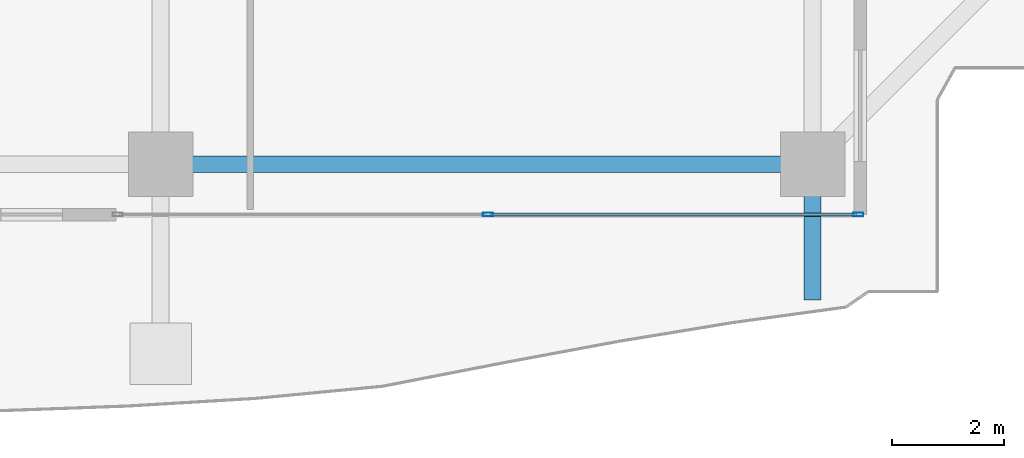
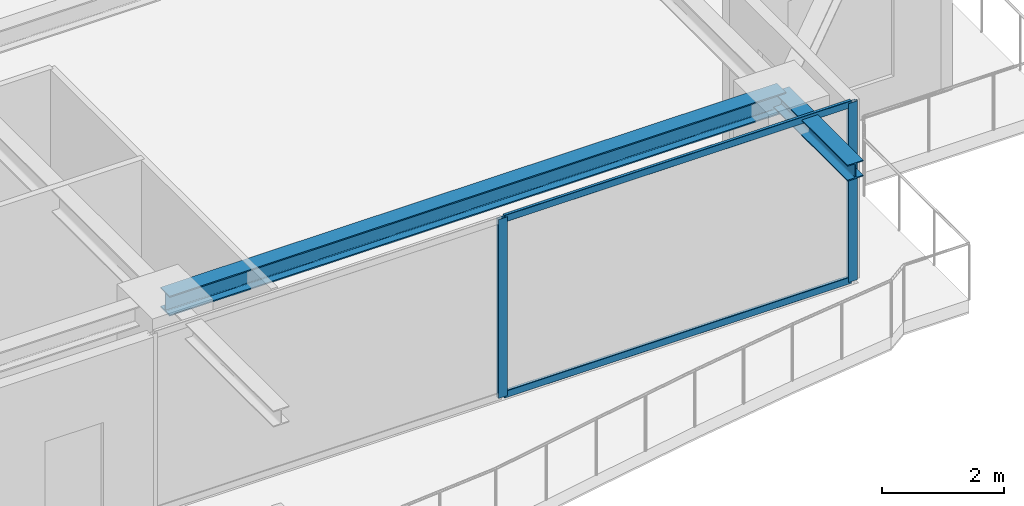
# One storey, part 12 of 36: 4 members, 2 beams, 1 element without a shape of its own.
"""IFC4 building model written with IfcOpenShell, lengths in metres."""

import ifcopenshell
import ifcopenshell.guid

model = None  # the IFC model being written
_history = None  # IfcOwnerHistory: only IFC2X3 demands one
_inside = {}  # id of a spatial element -> (the spatial element, [elements in it])
_under = {}  # id of a project, library or spatial element -> (it, [spatial elements below it])
_declared = {}  # id of a project -> (the project, [libraries it declares])
_typed = {}  # id of a type object -> (the type object, [elements of that type])
_made_of = {}  # id of a material, layer set ... -> (it, [elements and type objects made of it])


def new_model(schema):
    """Start an empty IFC model of exactly this schema.

    Asked for "IFC4X3", IfcOpenShell would pick the latest addendum, in which some entities
    have other attributes; the version numbers below select the first issue.
    IFC2X3 requires an IfcOwnerHistory on every rooted entity: one is made here for all.
    """
    global model, _history
    if schema == "IFC4X3":
        model = ifcopenshell.file(schema_version=(4, 3, 0, 0))
    else:
        model = ifcopenshell.file(schema=schema)
    _inside.clear()
    _under.clear()
    _declared.clear()
    _typed.clear()
    _made_of.clear()
    _history = None
    if model.schema == "IFC2X3":
        org = make("IfcOrganization", Name="unknown")
        user = make(
            "IfcPersonAndOrganization",
            ThePerson=make("IfcPerson", FamilyName="unknown"),
            TheOrganization=org,
        )
        app = make(
            "IfcApplication",
            ApplicationDeveloper=org,
            Version="unknown",
            ApplicationFullName="unknown",
            ApplicationIdentifier="unknown",
        )
        _history = make(
            "IfcOwnerHistory",
            OwningUser=user,
            OwningApplication=app,
            ChangeAction="ADDED",
            CreationDate=0,
        )
    return model


def make(cls, **values):
    """One entity of the class cls with the attributes given. An attribute that is None is left unset."""
    return model.create_entity(
        cls, **{name: value for name, value in values.items() if value is not None}
    )


def rooted(cls, **values):
    """An entity with a GlobalId (a new one), such as an element, a storey or a relation."""
    return make(cls, GlobalId=ifcopenshell.guid.new(), OwnerHistory=_history, **values)


def si_unit(unit_type, name, prefix=None):
    """IfcSIUnit, for example si_unit("LENGTHUNIT", "METRE", prefix="MILLI")."""
    return make("IfcSIUnit", UnitType=unit_type, Prefix=prefix, Name=name)


def assignment(units):
    """IfcUnitAssignment: the units of a project."""
    return None if units is None else make("IfcUnitAssignment", Units=units)


def point(xyz):
    """IfcCartesianPoint."""
    return None if xyz is None else make("IfcCartesianPoint", Coordinates=xyz)


def direction(xyz):
    """IfcDirection."""
    return None if xyz is None else make("IfcDirection", DirectionRatios=xyz)


def frame(location, z_axis=None, x_axis=None):
    """IfcAxis2Placement3D, a coordinate frame: its origin and axes. An axis left out is left unset."""
    return make(
        "IfcAxis2Placement3D",
        Location=point(location),
        Axis=direction(z_axis),
        RefDirection=direction(x_axis),
    )


def frame_2d(location, x_axis=None):
    """IfcAxis2Placement2D, a coordinate frame in the plane: its origin and x axis."""
    return make(
        "IfcAxis2Placement2D", Location=point(location), RefDirection=direction(x_axis)
    )


def origin():
    """The frame at (0, 0, 0) with its axes left unset."""
    return frame((0.0, 0.0, 0.0))


def origin_2d():
    """The frame at (0, 0) in the plane with its x axis left unset."""
    return frame_2d((0.0, 0.0))


def place(relative_to, where):
    """IfcLocalPlacement: puts the frame where relative to a parent placement (None: the world)."""
    return make(
        "IfcLocalPlacement", PlacementRelTo=relative_to, RelativePlacement=where
    )


def context(
    kind, dimensions, precision=None, world=None, true_north=None, identifier=None
):
    """IfcGeometricRepresentationContext, for example the 3D "Model" context."""
    return make(
        "IfcGeometricRepresentationContext",
        ContextIdentifier=identifier,
        ContextType=kind,
        CoordinateSpaceDimension=dimensions,
        Precision=precision,
        WorldCoordinateSystem=world,
        TrueNorth=true_north,
    )


def subcontext(parent, identifier, kind, view, scale=None):
    """IfcGeometricRepresentationSubContext, for example "Body" below "Model"."""
    return make(
        "IfcGeometricRepresentationSubContext",
        ContextIdentifier=identifier,
        ContextType=kind,
        ParentContext=parent,
        TargetScale=scale,
        TargetView=view,
    )


def project(units=None, contexts=None):
    """IfcProject with its units and contexts."""
    return rooted(
        "IfcProject",
        Name="project",
        RepresentationContexts=contexts,
        UnitsInContext=assignment(units),
    )


def spatial(cls, under=None, at=None, **own):
    """A site, building, storey or space (cls), placed at a placement, below another one or the project."""
    s = rooted(cls, ObjectPlacement=at, **own)
    if under is not None:
        _under.setdefault(under.id(), (under, []))[1].append(s)
    return s


def profile(cls, at=None, kind="AREA", **sizes):
    """A parametric profile (cls). Its sizes go by their IFC names, for example OverallWidth=200.0."""
    return make(cls, ProfileType=kind, Position=at, **sizes)


def hollow_rectangle(**sizes):
    """IfcRectangleHollowProfileDef."""
    return profile("IfcRectangleHollowProfileDef", **sizes)


def i_section(**sizes):
    """IfcIShapeProfileDef."""
    return profile("IfcIShapeProfileDef", **sizes)


def extrude(swept, where, along, depth):
    """IfcExtrudedAreaSolid: the profile swept, set in the frame where, extruded along a direction by depth."""
    return make(
        "IfcExtrudedAreaSolid",
        SweptArea=swept,
        Position=where,
        ExtrudedDirection=direction(along),
        Depth=depth,
    )


def shape(context_of_items, identifier, shape_type, items):
    """IfcShapeRepresentation: the items that make up one representation, for example the "Body"."""
    return make(
        "IfcShapeRepresentation",
        ContextOfItems=context_of_items,
        RepresentationIdentifier=identifier,
        RepresentationType=shape_type,
        Items=items,
    )


def source(mapping_origin, context_of_items, identifier, shape_type, items):
    """IfcRepresentationMap: a shape defined once, which mapped items show again and again."""
    return make(
        "IfcRepresentationMap",
        MappingOrigin=mapping_origin,
        MappedRepresentation=shape(context_of_items, identifier, shape_type, items),
    )


def transform(
    local_origin,
    x_axis=None,
    y_axis=None,
    z_axis=None,
    scale=None,
    scale2=None,
    scale3=None,
    uniform=True,
):
    """IfcCartesianTransformationOperator3D, or its non-uniform kind. x_axis, y_axis, z_axis: its Axis1, 2, 3."""
    if uniform:
        return make(
            "IfcCartesianTransformationOperator3D",
            Axis1=direction(x_axis),
            Axis2=direction(y_axis),
            LocalOrigin=point(local_origin),
            Scale=scale,
            Axis3=direction(z_axis),
        )
    return make(
        "IfcCartesianTransformationOperator3DnonUniform",
        Axis1=direction(x_axis),
        Axis2=direction(y_axis),
        LocalOrigin=point(local_origin),
        Scale=scale,
        Axis3=direction(z_axis),
        Scale2=scale2,
        Scale3=scale3,
    )


def mapped(mapping_source, mapping_target):
    """IfcMappedItem: shows the shape of a source again, moved by a transform."""
    return make(
        "IfcMappedItem", MappingSource=mapping_source, MappingTarget=mapping_target
    )


def material(Name=None, Category=None):
    """IfcMaterial."""
    return make("IfcMaterial", Name=Name, Category=Category)


def layer(
    of_material, thickness, ventilated=None, Name=None, Category=None, Priority=None
):
    """IfcMaterialLayer: one layer of a wall or slab, of a material (None: an air gap)."""
    return make(
        "IfcMaterialLayer",
        Material=of_material,
        LayerThickness=thickness,
        IsVentilated=ventilated,
        Name=Name,
        Category=Category,
        Priority=Priority,
    )


def layer_set(layers, Name=None):
    """IfcMaterialLayerSet."""
    return make("IfcMaterialLayerSet", MaterialLayers=layers, LayerSetName=Name)


def material_profile(
    of_material, cross_section, Name=None, Category=None, Priority=None
):
    """IfcMaterialProfile: a cross section and its material."""
    return make(
        "IfcMaterialProfile",
        Name=Name,
        Material=of_material,
        Profile=cross_section,
        Priority=Priority,
        Category=Category,
    )


def profile_set(profiles, Name=None, composite=None):
    """IfcMaterialProfileSet."""
    return make(
        "IfcMaterialProfileSet",
        Name=Name,
        MaterialProfiles=profiles,
        CompositeProfile=composite,
    )


def made_of(thing, what):
    """Note that an element or type object is made of a material, layer set ...; save() writes the relation."""
    if what is not None:
        _made_of.setdefault(what.id(), (what, []))[1].append(thing)
    return thing


def type_object(cls, material=None, **own):
    """A type object (cls), such as IfcWallType, which elements share."""
    return made_of(rooted(cls, **own), material)


def element(
    cls,
    number,
    at=None,
    inside=None,
    cuts=None,
    type_object=None,
    material=None,
    context=None,
    identifier="Body",
    shape_type=None,
    held_by="IfcProductDefinitionShape",
    body=None,
    shapes=None,
    **own,
):
    """One element of the class cls, such as IfcWall. Its Tag is "e" and its number.

    at: its placement. inside: the storey or other place that contains it. cuts: it is an
    opening in that element (IfcRelVoidsElement). A single representation is given by context,
    identifier, shape_type and body (its items); several are given by shapes. held_by: the class
    of the entity that holds the representations. save() writes the other relations.
    """
    e = rooted(cls, Tag="e%d" % number, ObjectPlacement=at, **own)
    if body is not None:
        shapes = [shape(context, identifier, shape_type, body)]
    if shapes is not None:
        e.Representation = make(held_by, Representations=shapes)
    if inside is not None:
        _inside.setdefault(inside.id(), (inside, []))[1].append(e)
    if cuts is not None:
        rooted(
            "IfcRelVoidsElement", RelatingBuildingElement=cuts, RelatedOpeningElement=e
        )
    if type_object is not None:
        _typed.setdefault(type_object.id(), (type_object, []))[1].append(e)
    return made_of(e, material)


def aggregate(whole, parts):
    """IfcRelAggregates: a whole, such as a stair, and the parts it consists of."""
    return rooted("IfcRelAggregates", RelatingObject=whole, RelatedObjects=parts)


def save(model, path):
    """Write the relations noted so far, then the file.

    IfcRelAggregates (storeys below a building ...), IfcRelContainedInSpatialStructure (elements
    in a storey), IfcRelDefinesByType, IfcRelAssociatesMaterial and IfcRelDeclares: one each for
    every whole, place, type object, material and project.
    """
    for whole, parts in _under.values():
        aggregate(whole, parts)
    for where, things in _inside.values():
        rooted(
            "IfcRelContainedInSpatialStructure",
            RelatedElements=things,
            RelatingStructure=where,
        )
    for kind, things in _typed.values():
        rooted("IfcRelDefinesByType", RelatedObjects=things, RelatingType=kind)
    for what, things in _made_of.values():
        rooted("IfcRelAssociatesMaterial", RelatedObjects=things, RelatingMaterial=what)
    for by, libraries in _declared.values():
        rooted("IfcRelDeclares", RelatingContext=by, RelatedDefinitions=libraries)
    model.write(path)


model = new_model("IFC4")

# Units and contexts
model_context = context("Model", 3, precision=1e-05, world=origin(), true_north=direction((0.0, 1.0)))
body_context = subcontext(model_context, "Body", "Model", "MODEL_VIEW")
ifc_project = project(units=[si_unit("LENGTHUNIT", "METRE"), si_unit("AREAUNIT", "SQUARE_METRE"), si_unit("VOLUMEUNIT", "CUBIC_METRE"), si_unit("PLANEANGLEUNIT", "RADIAN"), si_unit("MASSUNIT", "GRAM", prefix="KILO")], contexts=[model_context])

# Site, building, storey
site_placement = place(None, origin())
site = spatial("IfcSite", under=ifc_project, at=site_placement, CompositionType="ELEMENT")
building_placement = place(site_placement, origin())
building = spatial("IfcBuilding", under=site, at=building_placement, Name="Serunith Strait Residences", CompositionType="ELEMENT")
storey_placement = place(building_placement, frame((0.0, 0.0, 225.85009765625)))
storey = spatial("IfcBuildingStorey", under=building, at=storey_placement, Name="L56", CompositionType="ELEMENT", Elevation=225.85009765625)

# Beams
ifc_material_1 = material(Name="Steel S355J2", Category="steel")
ifc_material_profile_1 = material_profile(ifc_material_1, i_section(OverallWidth=0.300048828125, OverallDepth=0.39990234375, WebThickness=0.013427734375, FlangeThickness=0.02392578125, FilletRadius=0.027099609375, at=origin_2d()), Name="HEB 400")
ifc_profile_set_1 = profile_set([ifc_material_profile_1], Name="Steel S355J2")
beam_type_1 = type_object("IfcBeamType", Name="BM-HEB400", PredefinedType="BEAM", material=ifc_profile_set_1)
shared_shape_1 = source(origin(), body_context, "Body", "SweptSolid", [
    extrude(i_section(OverallWidth=0.300048828125, OverallDepth=0.39990234375, WebThickness=0.013427734375, FlangeThickness=0.02392578125, FilletRadius=0.027099609375, at=origin_2d()), origin(), (0.0, 0.0, 1.0), 11.650146484375),
])
beam_1_placement = place(storey_placement, frame((36.89990234375, 2.10009765625, 3.386962890625), z_axis=(1.0, 0.0, 0.0), x_axis=(0.0, 1.0, 0.0)))
element("IfcBeam", 1, at=beam_1_placement, inside=storey, type_object=beam_type_1, Name="L56 Perimeter Ring Beam 03", PredefinedType="BEAM", context=body_context, shape_type="MappedRepresentation", body=[
    mapped(shared_shape_1, transform((0.0, 0.0, 0.0), scale=1.0)),
])
ifc_material_profile_2 = material_profile(ifc_material_1, i_section(OverallWidth=0.300048828125, OverallDepth=0.320068359375, WebThickness=0.011474609375, FlangeThickness=0.0205078125, FilletRadius=0.027099609375, at=origin_2d()), Name="HEB 320")
ifc_profile_set_2 = profile_set([ifc_material_profile_2], Name="Steel S355J2")
beam_type_2 = type_object("IfcBeamType", Name="BM-HEB320", PredefinedType="BEAM", material=ifc_profile_set_2)
shared_shape_2 = source(origin(), body_context, "Body", "SweptSolid", [
    extrude(i_section(OverallWidth=0.300048828125, OverallDepth=0.320068359375, WebThickness=0.011474609375, FlangeThickness=0.0205078125, FilletRadius=0.027099609375, at=origin_2d()), origin(), (0.0, 0.0, 1.0), 2.424072265625),
])
beam_2_placement = place(storey_placement, frame((48.550048828125, 2.10009765625, 3.39697265625), z_axis=(0.0, -1.0, 0.0), x_axis=(1.0, 0.0, 0.0)))
element("IfcBeam", 2, at=beam_2_placement, inside=storey, type_object=beam_type_2, Name="L57 Cantilevered Balcony Rib TC-S4", PredefinedType="BEAM", context=body_context, shape_type="MappedRepresentation", body=[
    mapped(shared_shape_2, transform((0.0, 0.0, 0.0), scale=1.0)),
])

# Curtain wall, members
ifc_material_2 = material(Name="Pale-Champagne Anodised Aluminium", Category="aluminium")
ifc_layer = layer(ifc_material_2, 0.199951171875, Name="Pale-Champagne Anodised Aluminium")
ifc_layer_set = layer_set([ifc_layer], Name="Pale-Champagne Anodised Aluminium")
curtain_wall_type = type_object("IfcCurtainWallType", Name="CW-SYS4", PredefinedType="NOTDEFINED", material=ifc_layer_set)
curtain_wall_placement = place(storey_placement, origin())
curtain_wall = element("IfcCurtainWall", 3, at=curtain_wall_placement, inside=storey, type_object=curtain_wall_type, Name="L56 S Unitised Fritted Curtain Wall", PredefinedType="NOTDEFINED")
ifc_material_profile_3 = material_profile(ifc_material_2, hollow_rectangle(XDim=0.06494140625, YDim=0.179931640625, WallThickness=0.00341796875, InnerFilletRadius=0.00537109375, OuterFilletRadius=0.0087890625, at=origin_2d()), Name="ALU 180x65x3.5")
ifc_profile_set_3 = profile_set([ifc_material_profile_3], Name="Pale-Champagne Anodised Aluminium")
member_type_1 = type_object("IfcMemberType", Name="CW-SYS4-MULL", PredefinedType="MULLION", material=ifc_profile_set_3)
shared_shape_3 = source(origin(), body_context, "Body", "SweptSolid", [
    extrude(hollow_rectangle(XDim=0.06494140625, YDim=0.179931640625, WallThickness=0.00341796875, InnerFilletRadius=0.00537109375, OuterFilletRadius=0.0087890625, at=origin_2d()), origin(), (0.0, 0.0, 1.0), 3.574951171875),
])
member_1_placement = place(storey_placement, frame((42.75, 1.199951171875, 0.0), z_axis=(0.0, 0.0, 1.0), x_axis=(0.0, 1.0, 0.0)))
member_1 = element("IfcMember", 4, at=member_1_placement, type_object=member_type_1, Name="CW-4 mullion 2", PredefinedType="MULLION", context=body_context, shape_type="MappedRepresentation", body=[
    mapped(shared_shape_3, transform((0.0, 0.0, 0.0), scale=1.0)),
])
member_2_placement = place(storey_placement, frame((49.367431640625, 1.199951171875, 0.0), z_axis=(0.0, 0.0, 1.0), x_axis=(0.0, 1.0, 0.0)))
member_2 = element("IfcMember", 5, at=member_2_placement, type_object=member_type_1, Name="CW-4 mullion 3", PredefinedType="MULLION", context=body_context, shape_type="MappedRepresentation", body=[
    mapped(shared_shape_3, transform((0.0, 0.0, 0.0), scale=1.0)),
])
ifc_material_profile_4 = material_profile(ifc_material_2, hollow_rectangle(XDim=0.06005859375, YDim=0.139892578125, WallThickness=0.00341796875, InnerFilletRadius=0.00537109375, OuterFilletRadius=0.0087890625, at=origin_2d()), Name="ALU 140x60x3.5")
ifc_profile_set_4 = profile_set([ifc_material_profile_4], Name="Pale-Champagne Anodised Aluminium")
member_type_2 = type_object("IfcMemberType", Name="CW-SYS4-TRAN", PredefinedType="USERDEFINED", material=ifc_profile_set_4)
shared_shape_4 = source(origin(), body_context, "Body", "SweptSolid", [
    extrude(hollow_rectangle(XDim=0.06005859375, YDim=0.139892578125, WallThickness=0.00341796875, InnerFilletRadius=0.00537109375, OuterFilletRadius=0.0087890625, at=origin_2d()), origin(), (0.0, 0.0, 1.0), 6.552490234375),
])
member_3_placement = place(storey_placement, frame((42.782470703125, 1.199951171875, 0.02978515625), z_axis=(1.0, 0.0, 0.0), x_axis=(0.0, 1.0, 0.0)))
member_3 = element("IfcMember", 6, at=member_3_placement, type_object=member_type_2, Name="CW-4 transom 2.1", ObjectType="TRANSOM", PredefinedType="USERDEFINED", context=body_context, shape_type="MappedRepresentation", body=[
    mapped(shared_shape_4, transform((0.0, 0.0, 0.0), scale=1.0)),
])
member_4_placement = place(storey_placement, frame((42.782470703125, 1.199951171875, 3.544921875), z_axis=(1.0, 0.0, 0.0), x_axis=(0.0, 1.0, 0.0)))
member_4 = element("IfcMember", 7, at=member_4_placement, type_object=member_type_2, Name="CW-4 transom 2.2", ObjectType="TRANSOM", PredefinedType="USERDEFINED", context=body_context, shape_type="MappedRepresentation", body=[
    mapped(shared_shape_4, transform((0.0, 0.0, 0.0), scale=1.0)),
])
aggregate(curtain_wall, [member_1, member_2, member_3, member_4])

save(model, "model.ifc")
